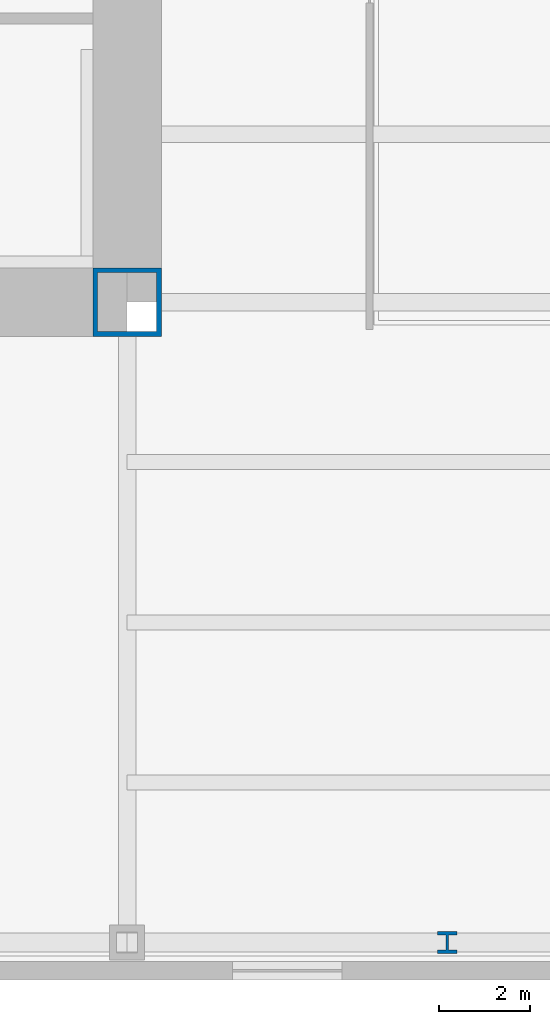
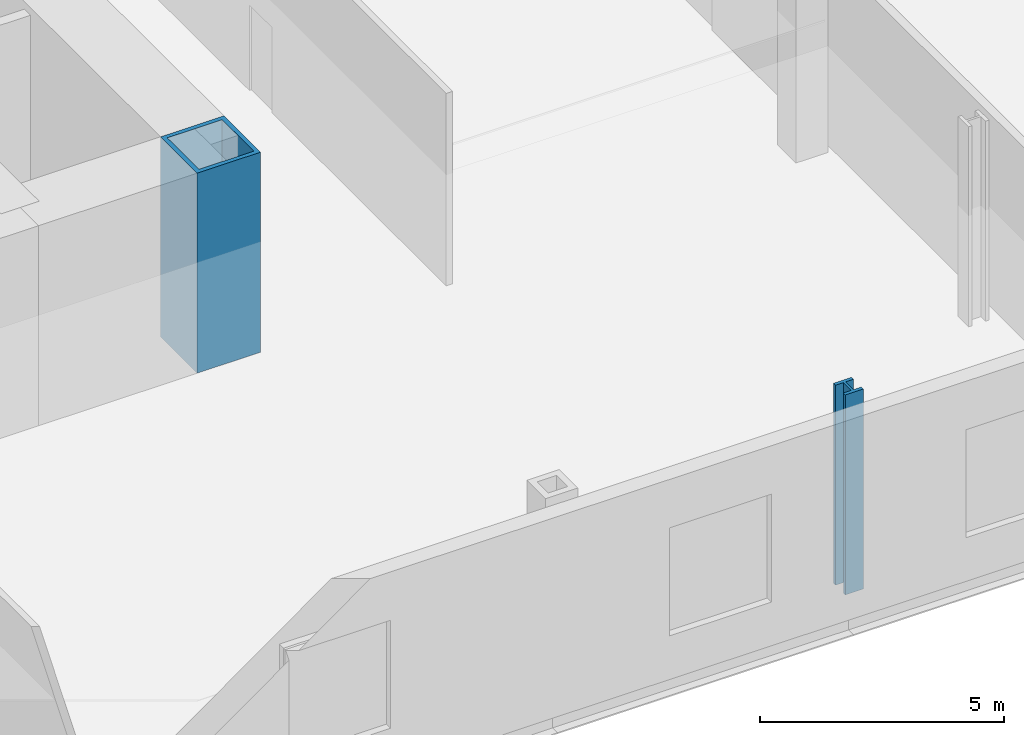
# One storey, part 2 of 12: 2 columns.
"""IFC4 building model written with IfcOpenShell, lengths in metres."""

from ifc_helpers import new_model, si_unit, direction, frame, origin, origin_2d, place, context, subcontext, project, spatial, hollow_rectangle, i_section, extrude, material, material_profile, profile_set, type_object, element, save


model = new_model("IFC4")

# Units and contexts
model_context = context("Model", 3, precision=1e-05, world=origin(), true_north=direction((0.0, 1.0)))
body_context = subcontext(model_context, "Body", "Model", "MODEL_VIEW")
ifc_project = project(units=[si_unit("LENGTHUNIT", "METRE"), si_unit("AREAUNIT", "SQUARE_METRE"), si_unit("VOLUMEUNIT", "CUBIC_METRE"), si_unit("PLANEANGLEUNIT", "RADIAN"), si_unit("MASSUNIT", "GRAM", prefix="KILO")], contexts=[model_context])

# Site, building, storey
site_placement = place(None, origin())
site = spatial("IfcSite", under=ifc_project, at=site_placement, CompositionType="ELEMENT")
building_placement = place(site_placement, origin())
building = spatial("IfcBuilding", under=site, at=building_placement, Name="Trevanion Tower", CompositionType="ELEMENT")
storey_placement = place(building_placement, frame((0.0, 0.0, 11.0)))
storey = spatial("IfcBuildingStorey", under=building, at=storey_placement, Name="L02", CompositionType="ELEMENT", Elevation=11.0)

# Columns
ifc_material_1 = material(Name="Steel ASTM A913 Grade 65", Category="steel")
ifc_material_profile_1 = material_profile(ifc_material_1, i_section(OverallWidth=0.4267578125, OverallDepth=0.482666015625, WebThickness=0.05126953125, FlangeThickness=0.08154296875, at=origin_2d()), Name="W14X455")
ifc_profile_set_1 = profile_set([ifc_material_profile_1], Name="Steel ASTM A913 Grade 65")
column_type_1 = type_object("IfcColumnType", Name="C2 W14X455", PredefinedType="COLUMN", material=ifc_profile_set_1)
column_1_placement = place(storey_placement, frame((18.0, -25.0, 0.0), z_axis=(0.0, 0.0, 1.0), x_axis=(1.0, 0.0, 0.0)))
element("IfcColumn", 1, at=column_1_placement, inside=storey, type_object=column_type_1, Name="C2 14/A L02", PredefinedType="COLUMN", context=body_context, shape_type="SweptSolid", body=[
    extrude(i_section(OverallWidth=0.4267578125, OverallDepth=0.482666015625, WebThickness=0.05126953125, FlangeThickness=0.08154296875, at=origin_2d()), origin(), (0.0, 0.0, 1.0), 5.0),
])
ifc_material_2 = material(Name="Steel ASTM A572 Grade 50", Category="steel")
ifc_material_profile_2 = material_profile(ifc_material_2, hollow_rectangle(XDim=1.49853515625, YDim=1.49853515625, WallThickness=0.1015625, at=origin_2d()), Name="BOX59X59X4")
ifc_profile_set_2 = profile_set([ifc_material_profile_2], Name="Steel ASTM A572 Grade 50")
column_type_2 = type_object("IfcColumnType", Name="CB1 BOX59X59X4", PredefinedType="COLUMN", material=ifc_profile_set_2)
column_2_placement = place(storey_placement, frame((11.0, -11.0, 0.0), z_axis=(0.0, 0.0, 1.0), x_axis=(1.0, 0.0, 0.0)))
element("IfcColumn", 2, at=column_2_placement, inside=storey, type_object=column_type_2, Name="CB1 SE L02", PredefinedType="COLUMN", context=body_context, shape_type="SweptSolid", body=[
    extrude(hollow_rectangle(XDim=1.49853515625, YDim=1.49853515625, WallThickness=0.1015625, at=origin_2d()), origin(), (0.0, 0.0, 1.0), 5.0),
])

save(model, "model.ifc")
